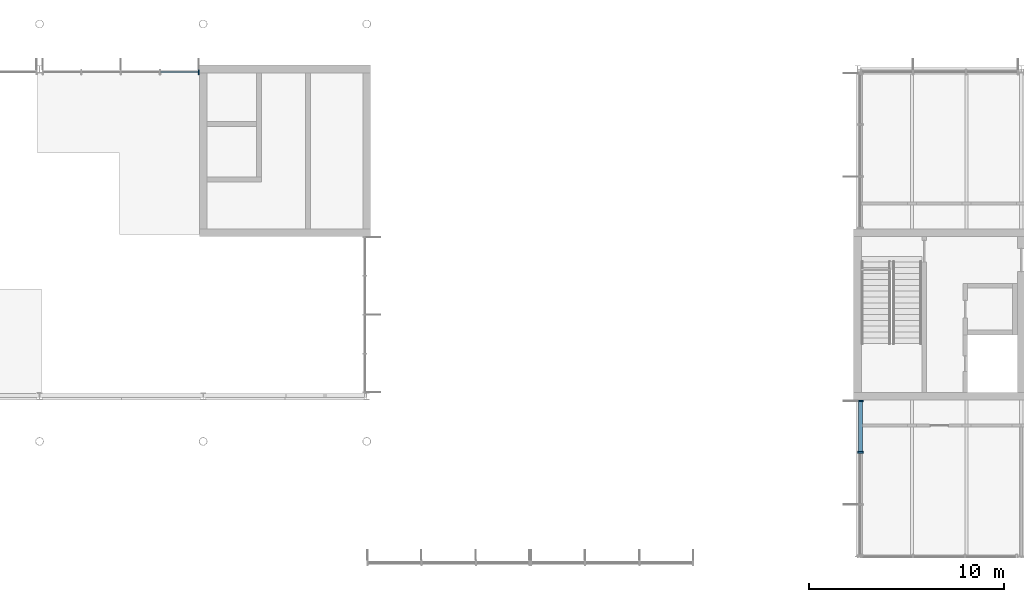
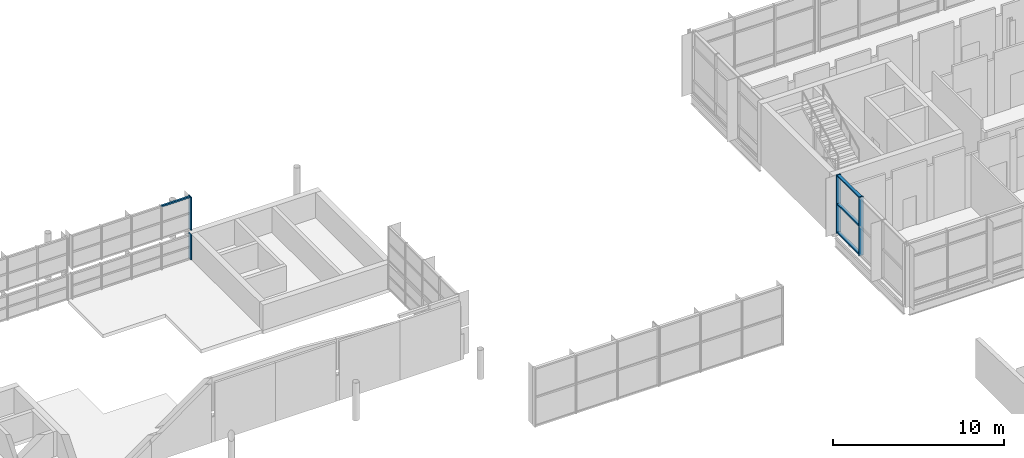
# One storey, part 27 of 72: 8 members, 3 elements without a shape of their own.
"""IFC4 building model written with IfcOpenShell, lengths in metres."""

from ifc_helpers import new_model, si_unit, direction, frame, origin, origin_2d, place, context, subcontext, project, spatial, rectangle, extrude, material, material_profile, profile_set, type_object, element, aggregate, save


model = new_model("IFC4")

# Units and contexts
model_context = context("Model", 3, precision=1e-05, world=origin(), true_north=direction((0.0, 1.0)))
body_context = subcontext(model_context, "Body", "Model", "MODEL_VIEW")
ifc_project = project(units=[si_unit("LENGTHUNIT", "METRE"), si_unit("AREAUNIT", "SQUARE_METRE"), si_unit("VOLUMEUNIT", "CUBIC_METRE"), si_unit("PLANEANGLEUNIT", "RADIAN"), si_unit("MASSUNIT", "GRAM", prefix="KILO")], contexts=[model_context])

# Site, building, storey
site_placement = place(None, origin())
site = spatial("IfcSite", under=ifc_project, at=site_placement, CompositionType="ELEMENT")
building_placement = place(site_placement, origin())
building = spatial("IfcBuilding", under=site, at=building_placement, Name="Hlaing Beacon Police Headquarters", CompositionType="ELEMENT")
storey_placement = place(building_placement, frame((0.0, 0.0, 14.39990234375)))
storey = spatial("IfcBuildingStorey", under=building, at=storey_placement, Name="L03", CompositionType="ELEMENT", Elevation=14.39990234375)

# Curtain wall, member
ifc_material_1 = material(Name="Aluminium frame with solar control glazing", Category="aluminium")
curtain_wall_type_1 = type_object("IfcCurtainWallType", Name="Unitised curtain wall 8.07 x 1.80 (300 frame)", PredefinedType="NOTDEFINED", material=ifc_material_1)
curtain_wall_1_placement = place(storey_placement, origin())
curtain_wall_1 = element("IfcCurtainWall", 1, at=curtain_wall_1_placement, inside=storey, type_object=curtain_wall_type_1, Name="ENV-CW-L03-N005", PredefinedType="NOTDEFINED")
ifc_material_2 = material(Name="Aluminium", Category="aluminium")
ifc_material_profile_1 = material_profile(ifc_material_2, rectangle(XDim=0.300048828125, YDim=0.06005859375, at=origin_2d()), Name="Mullion 60x300")
ifc_profile_set_1 = profile_set([ifc_material_profile_1], Name="Aluminium")
member_type_1 = type_object("IfcMemberType", Name="Mullion 60x300", PredefinedType="MULLION", material=ifc_profile_set_1)
member_1_placement = place(storey_placement, frame((58.570068359375, 92.25, 0.0), z_axis=(0.0, 0.0, 1.0), x_axis=(0.0, -1.0, 0.0)))
member_1 = element("IfcMember", 2, at=member_1_placement, type_object=member_type_1, Name="CW-L03-N005 mullion 1", PredefinedType="MULLION", context=body_context, shape_type="SweptSolid", body=[
    extrude(rectangle(XDim=0.300048828125, YDim=0.06005859375, at=origin_2d()), origin(), (0.0, 0.0, 1.0), 1.800048828125),
])
aggregate(curtain_wall_1, [member_1])

ifc_material_3 = material(Name="Aluminium frame with solar control glazing", Category="aluminium")
curtain_wall_type_2 = type_object("IfcCurtainWallType", Name="Unitised curtain wall 8.07 x 2.40 (300 frame)", PredefinedType="NOTDEFINED", material=ifc_material_3)
curtain_wall_2_placement = place(storey_placement, origin())
curtain_wall_2 = element("IfcCurtainWall", 3, at=curtain_wall_2_placement, inside=storey, type_object=curtain_wall_type_2, Name="ENV-CW-L03-N006", PredefinedType="NOTDEFINED")
member_2_placement = place(storey_placement, frame((58.570068359375, 92.25, 2.10498046875), z_axis=(0.0, 0.0, 1.0), x_axis=(0.0, -1.0, 0.0)))
member_2 = element("IfcMember", 4, at=member_2_placement, type_object=member_type_1, Name="CW-L03-N006 mullion 1", PredefinedType="MULLION", context=body_context, shape_type="SweptSolid", body=[
    extrude(rectangle(XDim=0.300048828125, YDim=0.06005859375, at=origin_2d()), origin(), (0.0, 0.0, 1.0), 2.39501953125),
])

# Curtain wall, members
ifc_material_4 = material(Name="Aluminium frame with solar control glazing", Category="aluminium")
curtain_wall_type_3 = type_object("IfcCurtainWallType", Name="Structural glazed gable wall 8.02 x 4.16", PredefinedType="NOTDEFINED", material=ifc_material_4)
curtain_wall_3_placement = place(storey_placement, origin())
curtain_wall_3 = element("IfcCurtainWall", 5, at=curtain_wall_3_placement, inside=storey, type_object=curtain_wall_type_3, Name="ENV-CW-L03-W034", PredefinedType="NOTDEFINED")
ifc_material_5 = material(Name="Aluminium", Category="aluminium")
ifc_material_profile_2 = material_profile(ifc_material_5, rectangle(XDim=0.300048828125, YDim=0.080078125, at=origin_2d()), Name="Mullion 80x300")
ifc_profile_set_2 = profile_set([ifc_material_profile_2], Name="Aluminium")
member_type_2 = type_object("IfcMemberType", Name="Mullion 80x300", PredefinedType="MULLION", material=ifc_profile_set_2)
member_3_placement = place(storey_placement, frame((92.550048828125, 75.360107421875, 0.2080078125), z_axis=(0.0, 0.0, 1.0), x_axis=(1.0, 0.0, 0.0)))
member_3 = element("IfcMember", 6, at=member_3_placement, type_object=member_type_2, Name="CW-L03-W034 mullion 1", PredefinedType="MULLION", context=body_context, shape_type="SweptSolid", body=[
    extrude(rectangle(XDim=0.300048828125, YDim=0.080078125, at=origin_2d()), origin(), (0.0, 0.0, 1.0), 4.162109375),
])
member_4_placement = place(storey_placement, frame((92.550048828125, 72.7255859375, 0.2080078125), z_axis=(0.0, 0.0, 1.0), x_axis=(1.0, 0.0, 0.0)))
member_4 = element("IfcMember", 7, at=member_4_placement, type_object=member_type_2, Name="CW-L03-W034 mullion 2", PredefinedType="MULLION", context=body_context, shape_type="SweptSolid", body=[
    extrude(rectangle(XDim=0.300048828125, YDim=0.080078125, at=origin_2d()), origin(), (0.0, 0.0, 1.0), 4.162109375),
])

# Member
ifc_material_6 = material(Name="Aluminium", Category="aluminium")
ifc_material_profile_3 = material_profile(ifc_material_6, rectangle(XDim=0.1201171875, YDim=0.10009765625, at=origin_2d()), Name="Transom 120x100")
ifc_profile_set_3 = profile_set([ifc_material_profile_3], Name="Aluminium")
member_type_3 = type_object("IfcMemberType", Name="Transom 120x100", PredefinedType="USERDEFINED", material=ifc_profile_set_3)
member_5_placement = place(storey_placement, frame((58.5400390625, 92.25, 4.4501953125), z_axis=(-1.0, 0.0, 0.0), x_axis=(0.0, -1.0, 0.0)))
member_5 = element("IfcMember", 8, at=member_5_placement, type_object=member_type_3, Name="CW-L03-N006 transom 1.3", ObjectType="TRANSOM", PredefinedType="USERDEFINED", context=body_context, shape_type="SweptSolid", body=[
    extrude(rectangle(XDim=0.1201171875, YDim=0.10009765625, at=origin_2d()), origin(), (0.0, 0.0, 1.0), 1.927978515625),
])

aggregate(curtain_wall_2, [member_2, member_5])

ifc_material_7 = material(Name="Aluminium", Category="aluminium")
ifc_material_profile_4 = material_profile(ifc_material_7, rectangle(XDim=0.199951171875, YDim=0.10009765625, at=origin_2d()), Name="Transom 200x100")
ifc_profile_set_4 = profile_set([ifc_material_profile_4], Name="Aluminium")
member_type_4 = type_object("IfcMemberType", Name="Transom 200x100", PredefinedType="USERDEFINED", material=ifc_profile_set_4)
member_6_placement = place(storey_placement, frame((92.550048828125, 75.320068359375, 0.2578125), z_axis=(0.0, -1.0, 0.0), x_axis=(1.0, 0.0, 0.0)))
member_6 = element("IfcMember", 9, at=member_6_placement, type_object=member_type_4, Name="CW-L03-W034 transom 1.1", ObjectType="TRANSOM", PredefinedType="USERDEFINED", context=body_context, shape_type="SweptSolid", body=[
    extrude(rectangle(XDim=0.199951171875, YDim=0.10009765625, at=origin_2d()), origin(), (0.0, 0.0, 1.0), 2.5546875),
])

member_7_placement = place(storey_placement, frame((92.550048828125, 75.320068359375, 2.288818359375), z_axis=(0.0, -1.0, 0.0), x_axis=(1.0, 0.0, 0.0)))
member_7 = element("IfcMember", 10, at=member_7_placement, type_object=member_type_4, Name="CW-L03-W034 transom 1.2", ObjectType="TRANSOM", PredefinedType="USERDEFINED", context=body_context, shape_type="SweptSolid", body=[
    extrude(rectangle(XDim=0.199951171875, YDim=0.10009765625, at=origin_2d()), origin(), (0.0, 0.0, 1.0), 2.5546875),
])

member_8_placement = place(storey_placement, frame((92.550048828125, 75.320068359375, 4.320068359375), z_axis=(0.0, -1.0, 0.0), x_axis=(1.0, 0.0, 0.0)))
member_8 = element("IfcMember", 11, at=member_8_placement, type_object=member_type_4, Name="CW-L03-W034 transom 1.3", ObjectType="TRANSOM", PredefinedType="USERDEFINED", context=body_context, shape_type="SweptSolid", body=[
    extrude(rectangle(XDim=0.199951171875, YDim=0.10009765625, at=origin_2d()), origin(), (0.0, 0.0, 1.0), 2.5546875),
])

aggregate(curtain_wall_3, [member_3, member_4, member_6, member_7, member_8])

save(model, "model.ifc")
